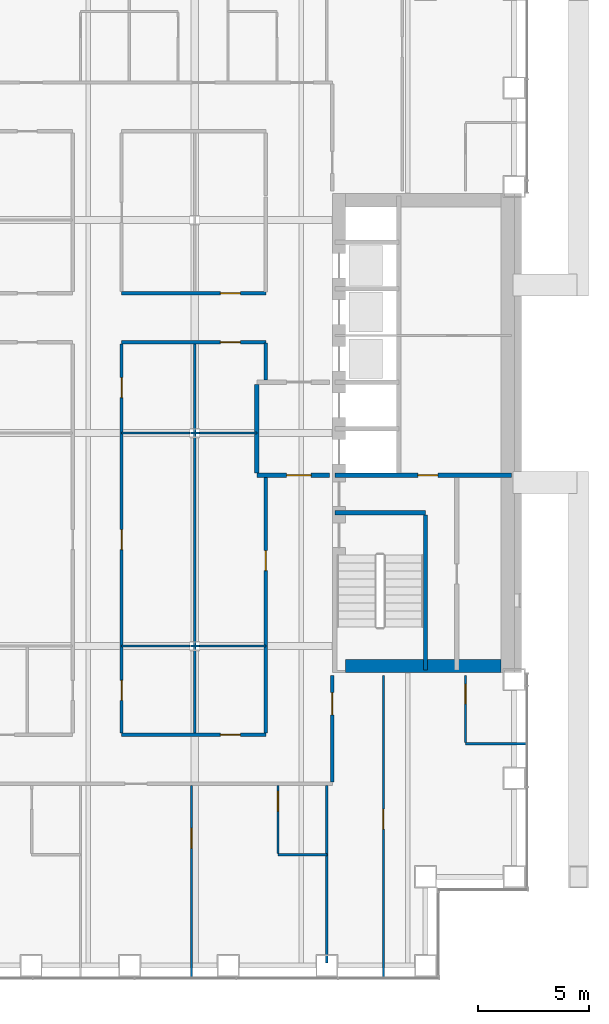
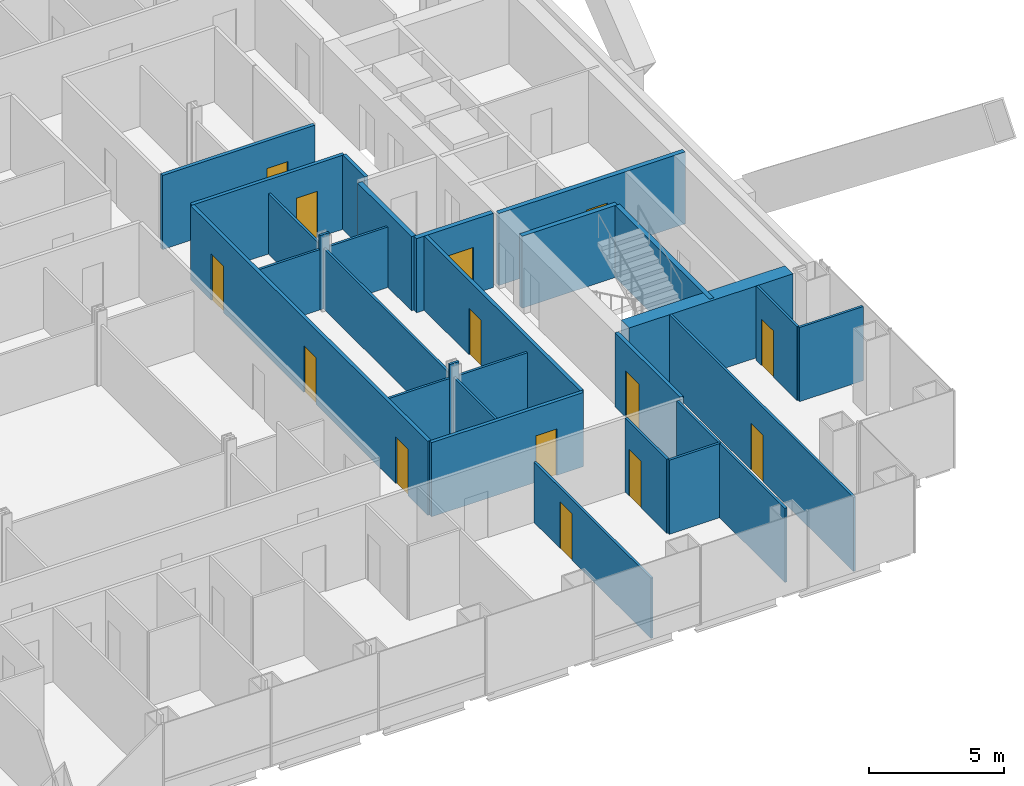
# One storey, part 18 of 23: 29 walls, 14 doors, 14 openings.
"""IFC4 building model written with IfcOpenShell, lengths in metres."""

from ifc_helpers import new_model, si_unit, direction, frame, frame_2d, origin, place, context, subcontext, project, spatial, rectangle, extrude, material, layer, layer_set, type_object, element, fill, save


model = new_model("IFC4")

# Units and contexts
model_context = context("Model", 3, precision=1e-05, world=origin(), true_north=direction((0.0, 1.0)))
body_context = subcontext(model_context, "Body", "Model", "MODEL_VIEW")
ifc_project = project(units=[si_unit("LENGTHUNIT", "METRE"), si_unit("AREAUNIT", "SQUARE_METRE"), si_unit("VOLUMEUNIT", "CUBIC_METRE"), si_unit("PLANEANGLEUNIT", "RADIAN"), si_unit("MASSUNIT", "GRAM", prefix="KILO")], contexts=[model_context])

# Site, building, storey
site_placement = place(None, origin())
site = spatial("IfcSite", under=ifc_project, at=site_placement, CompositionType="ELEMENT")
building_placement = place(site_placement, origin())
building = spatial("IfcBuilding", under=site, at=building_placement, Name="Cobrizo Arcos Hotel Tower", CompositionType="ELEMENT")
storey_placement = place(building_placement, frame((0.0, 0.0, 56.5)))
storey = spatial("IfcBuildingStorey", under=building, at=storey_placement, Name="L12", CompositionType="ELEMENT", Elevation=56.5)

# Wall, opening, door
ifc_material_1 = material(Name="Gypsum board partition")
ifc_layer_1 = layer(ifc_material_1, 0.14990234375)
ifc_layer_set_1 = layer_set([ifc_layer_1], Name="Corridor wall EI 60 150")
wall_type_1 = type_object("IfcWallType", Name="Corridor wall EI 60 150", PredefinedType="PARTITIONING", material=ifc_layer_set_1)
wall_1_placement = place(storey_placement, frame((6.300048828125, -13.60009765625, 0.0), z_axis=(0.0, 0.0, 1.0), x_axis=(1.0, 0.0, 0.0)))
wall_1 = element("IfcWall", 1, at=wall_1_placement, inside=storey, type_object=wall_type_1, Name="Partition 010", PredefinedType="PARTITIONING", context=body_context, shape_type="SweptSolid", body=[
    extrude(rectangle(XDim=6.5, YDim=0.14990234375, at=frame_2d((3.25, 0.0))), origin(), (0.0, 0.0, 1.0), 3.35009765625),
])
opening_1_placement = place(wall_1_placement, frame((4.449951171875, 0.0, 0.0)))
opening_1 = element("IfcOpeningElement", 2, at=opening_1_placement, cuts=wall_1, Name="Opening RD-15", PredefinedType="OPENING", context=body_context, shape_type="SweptSolid", body=[
    extrude(rectangle(XDim=0.89990234375, YDim=2.10009765625, at=frame_2d((0.449951171875, 1.050048828125))), frame((0.0, 0.0869140625, 0.0), z_axis=(0.0, -1.0, 0.0), x_axis=(1.0, 0.0, 0.0)), (0.0, 0.0, 1.0), 0.173828125),
])
ifc_material_2 = material(Name="Timber door leaf", Category="wood")
door_type_1 = type_object("IfcDoorType", Name="Room door FD30 900x2100", OperationType="SINGLE_SWING_LEFT", PredefinedType="DOOR", material=ifc_material_2)
door_1_placement = place(opening_1_placement, origin())
door_1 = element("IfcDoor", 3, at=door_1_placement, inside=storey, type_object=door_type_1, Name="Door RD-15", OperationType="SINGLE_SWING_RIGHT", OverallHeight=2.10009765625, OverallWidth=0.89990234375, PredefinedType="DOOR", context=body_context, shape_type="SweptSolid", body=[
    extrude(rectangle(XDim=0.89990234375, YDim=2.10009765625, at=frame_2d((0.449951171875, 1.050048828125))), frame((0.0, 0.02490234375, 0.0), z_axis=(0.0, -1.0, 0.0), x_axis=(1.0, 0.0, 0.0)), (0.0, 0.0, 1.0), 0.050048828125),
])
fill(opening_1, door_1)

wall_2_placement = place(storey_placement, frame((6.300048828125, 4.10009765625, 0.0), z_axis=(0.0, 0.0, 1.0), x_axis=(1.0, 0.0, 0.0)))
wall_2 = element("IfcWall", 4, at=wall_2_placement, inside=storey, type_object=wall_type_1, Name="Partition 040", PredefinedType="PARTITIONING", context=body_context, shape_type="SweptSolid", body=[
    extrude(rectangle(XDim=6.5, YDim=0.14990234375, at=frame_2d((3.25, 0.0))), origin(), (0.0, 0.0, 1.0), 3.35009765625),
])
opening_2_placement = place(wall_2_placement, frame((4.449951171875, 0.0, 0.0)))
opening_2 = element("IfcOpeningElement", 5, at=opening_2_placement, cuts=wall_2, Name="Opening RD-14", PredefinedType="OPENING", context=body_context, shape_type="SweptSolid", body=[
    extrude(rectangle(XDim=0.89990234375, YDim=2.10009765625, at=frame_2d((0.449951171875, 1.050048828125))), frame((0.0, 0.0869140625, 0.0), z_axis=(0.0, -1.0, 0.0), x_axis=(1.0, 0.0, 0.0)), (0.0, 0.0, 1.0), 0.173828125),
])
door_2_placement = place(opening_2_placement, origin())
door_2 = element("IfcDoor", 6, at=door_2_placement, inside=storey, type_object=door_type_1, Name="Door RD-14", OperationType="SINGLE_SWING_RIGHT", OverallHeight=2.10009765625, OverallWidth=0.89990234375, PredefinedType="DOOR", context=body_context, shape_type="SweptSolid", body=[
    extrude(rectangle(XDim=0.89990234375, YDim=2.10009765625, at=frame_2d((0.449951171875, 1.050048828125))), frame((0.0, 0.02490234375, 0.0), z_axis=(0.0, -1.0, 0.0), x_axis=(1.0, 0.0, 0.0)), (0.0, 0.0, 1.0), 0.050048828125),
])
fill(opening_2, door_2)

wall_3_placement = place(storey_placement, frame((6.300048828125, 6.300048828125, 0.0), z_axis=(0.0, 0.0, 1.0), x_axis=(1.0, 0.0, 0.0)))
wall_3 = element("IfcWall", 7, at=wall_3_placement, inside=storey, type_object=wall_type_1, Name="Partition 044", PredefinedType="PARTITIONING", context=body_context, shape_type="SweptSolid", body=[
    extrude(rectangle(XDim=6.5, YDim=0.14990234375, at=frame_2d((3.25, 0.0))), origin(), (0.0, 0.0, 1.0), 3.35009765625),
])
opening_3_placement = place(wall_3_placement, frame((4.449951171875, 0.0, 0.0)))
opening_3 = element("IfcOpeningElement", 8, at=opening_3_placement, cuts=wall_3, Name="Opening RD-23", PredefinedType="OPENING", context=body_context, shape_type="SweptSolid", body=[
    extrude(rectangle(XDim=0.89990234375, YDim=2.10009765625, at=frame_2d((0.449951171875, 1.050048828125))), frame((0.0, 0.0869140625, 0.0), z_axis=(0.0, -1.0, 0.0), x_axis=(1.0, 0.0, 0.0)), (0.0, 0.0, 1.0), 0.173828125),
])
door_3_placement = place(opening_3_placement, origin())
door_3 = element("IfcDoor", 9, at=door_3_placement, inside=storey, type_object=door_type_1, Name="Door RD-23", OperationType="SINGLE_SWING_LEFT", OverallHeight=2.10009765625, OverallWidth=0.89990234375, PredefinedType="DOOR", context=body_context, shape_type="SweptSolid", body=[
    extrude(rectangle(XDim=0.89990234375, YDim=2.10009765625, at=frame_2d((0.449951171875, 1.050048828125))), frame((0.0, 0.02490234375, 0.0), z_axis=(0.0, -1.0, 0.0), x_axis=(1.0, 0.0, 0.0)), (0.0, 0.0, 1.0), 0.050048828125),
])
fill(opening_3, door_3)

# Wall, openings, doors
wall_4_placement = place(storey_placement, frame((6.300048828125, -13.52490234375, 0.0), z_axis=(0.0, 0.0, 1.0), x_axis=(0.0, 1.0, 0.0)))
wall_4 = element("IfcWall", 10, at=wall_4_placement, inside=storey, type_object=wall_type_1, Name="Partition 108", PredefinedType="PARTITIONING", context=body_context, shape_type="SweptSolid", body=[
    extrude(rectangle(XDim=17.5498046875, YDim=0.14990234375, at=frame_2d((8.77490234375, 0.0))), origin(), (0.0, 0.0, 1.0), 3.35009765625),
])
opening_4_placement = place(wall_4_placement, frame((1.47509765625, 0.0, 0.0)))
opening_4 = element("IfcOpeningElement", 11, at=opening_4_placement, cuts=wall_4, Name="Opening RD-18", PredefinedType="OPENING", context=body_context, shape_type="SweptSolid", body=[
    extrude(rectangle(XDim=0.89990234375, YDim=2.10009765625, at=frame_2d((0.449951171875, 1.050048828125))), frame((0.0, 0.0869140625, 0.0), z_axis=(0.0, -1.0, 0.0), x_axis=(1.0, 0.0, 0.0)), (0.0, 0.0, 1.0), 0.173828125),
])
opening_5_placement = place(wall_4_placement, frame((15.125, 0.0, 0.0)))
opening_5 = element("IfcOpeningElement", 12, at=opening_5_placement, cuts=wall_4, Name="Opening RD-19", PredefinedType="OPENING", context=body_context, shape_type="SweptSolid", body=[
    extrude(rectangle(XDim=0.89990234375, YDim=2.10009765625, at=frame_2d((0.449951171875, 1.050048828125))), frame((0.0, 0.0869140625, 0.0), z_axis=(0.0, -1.0, 0.0), x_axis=(1.0, 0.0, 0.0)), (0.0, 0.0, 1.0), 0.173828125),
])
opening_6_placement = place(wall_4_placement, frame((8.27490234375, 0.0, 0.0)))
opening_6 = element("IfcOpeningElement", 13, at=opening_6_placement, cuts=wall_4, Name="Opening RD-26", PredefinedType="OPENING", context=body_context, shape_type="SweptSolid", body=[
    extrude(rectangle(XDim=0.89990234375, YDim=2.10009765625, at=frame_2d((0.449951171875, 1.050048828125))), frame((0.0, 0.0869140625, 0.0), z_axis=(0.0, -1.0, 0.0), x_axis=(1.0, 0.0, 0.0)), (0.0, 0.0, 1.0), 0.173828125),
])
door_4_placement = place(opening_4_placement, origin())
door_4 = element("IfcDoor", 14, at=door_4_placement, inside=storey, type_object=door_type_1, Name="Door RD-18", OperationType="SINGLE_SWING_LEFT", OverallHeight=2.10009765625, OverallWidth=0.89990234375, PredefinedType="DOOR", context=body_context, shape_type="SweptSolid", body=[
    extrude(rectangle(XDim=0.89990234375, YDim=2.10009765625, at=frame_2d((0.449951171875, 1.050048828125))), frame((0.0, 0.02490234375, 0.0), z_axis=(0.0, -1.0, 0.0), x_axis=(1.0, 0.0, 0.0)), (0.0, 0.0, 1.0), 0.050048828125),
])
fill(opening_4, door_4)
door_5_placement = place(opening_5_placement, origin())
door_5 = element("IfcDoor", 15, at=door_5_placement, inside=storey, type_object=door_type_1, Name="Door RD-19", OperationType="SINGLE_SWING_LEFT", OverallHeight=2.10009765625, OverallWidth=0.89990234375, PredefinedType="DOOR", context=body_context, shape_type="SweptSolid", body=[
    extrude(rectangle(XDim=0.89990234375, YDim=2.10009765625, at=frame_2d((0.449951171875, 1.050048828125))), frame((0.0, 0.02490234375, 0.0), z_axis=(0.0, -1.0, 0.0), x_axis=(1.0, 0.0, 0.0)), (0.0, 0.0, 1.0), 0.050048828125),
])
fill(opening_5, door_5)
door_6_placement = place(opening_6_placement, origin())
door_6 = element("IfcDoor", 16, at=door_6_placement, inside=storey, type_object=door_type_1, Name="Door RD-26", OperationType="SINGLE_SWING_LEFT", OverallHeight=2.10009765625, OverallWidth=0.89990234375, PredefinedType="DOOR", context=body_context, shape_type="SweptSolid", body=[
    extrude(rectangle(XDim=0.89990234375, YDim=2.10009765625, at=frame_2d((0.449951171875, 1.050048828125))), frame((0.0, 0.02490234375, 0.0), z_axis=(0.0, -1.0, 0.0), x_axis=(1.0, 0.0, 0.0)), (0.0, 0.0, 1.0), 0.050048828125),
])
fill(opening_6, door_6)

# Wall, opening, door
wall_5_placement = place(storey_placement, frame((12.800048828125, -13.52490234375, 0.0), z_axis=(0.0, 0.0, 1.0), x_axis=(0.0, 1.0, 0.0)))
wall_5 = element("IfcWall", 17, at=wall_5_placement, inside=storey, type_object=wall_type_1, Name="Partition 122", PredefinedType="PARTITIONING", context=body_context, shape_type="SweptSolid", body=[
    extrude(rectangle(XDim=11.52490234375, YDim=0.14990234375, at=frame_2d((5.762451171875, 0.0))), origin(), (0.0, 0.0, 1.0), 3.35009765625),
])
opening_7_placement = place(wall_5_placement, frame((7.324951171875, 0.0, 0.0)))
opening_7 = element("IfcOpeningElement", 18, at=opening_7_placement, cuts=wall_5, Name="Opening RD-25", PredefinedType="OPENING", context=body_context, shape_type="SweptSolid", body=[
    extrude(rectangle(XDim=0.89990234375, YDim=2.10009765625, at=frame_2d((0.449951171875, 1.050048828125))), frame((0.0, 0.0869140625, 0.0), z_axis=(0.0, -1.0, 0.0), x_axis=(1.0, 0.0, 0.0)), (0.0, 0.0, 1.0), 0.173828125),
])
door_7_placement = place(opening_7_placement, origin())
door_7 = element("IfcDoor", 19, at=door_7_placement, inside=storey, type_object=door_type_1, Name="Door RD-25", OperationType="SINGLE_SWING_LEFT", OverallHeight=2.10009765625, OverallWidth=0.89990234375, PredefinedType="DOOR", context=body_context, shape_type="SweptSolid", body=[
    extrude(rectangle(XDim=0.89990234375, YDim=2.10009765625, at=frame_2d((0.449951171875, 1.050048828125))), frame((0.0, 0.02490234375, 0.0), z_axis=(0.0, -1.0, 0.0), x_axis=(1.0, 0.0, 0.0)), (0.0, 0.0, 1.0), 0.050048828125),
])
fill(opening_7, door_7)

# Wall
wall_6_placement = place(storey_placement, frame((12.800048828125, 2.39990234375, 0.0), z_axis=(0.0, 0.0, 1.0), x_axis=(0.0, 1.0, 0.0)))
element("IfcWall", 20, at=wall_6_placement, inside=storey, type_object=wall_type_1, Name="Partition 123", PredefinedType="PARTITIONING", context=body_context, shape_type="SweptSolid", body=[
    extrude(rectangle(XDim=1.650146484375, YDim=0.14990234375, at=frame_2d((0.8251953125, 0.0))), origin(), (0.0, 0.0, 1.0), 3.35009765625),
])

# Wall, opening, door
wall_7_placement = place(storey_placement, frame((15.800048828125, -15.72509765625, 0.0), z_axis=(0.0, 0.0, 1.0), x_axis=(0.0, 1.0, 0.0)))
wall_7 = element("IfcWall", 21, at=wall_7_placement, inside=storey, type_object=wall_type_1, Name="Partition 130", PredefinedType="PARTITIONING", context=body_context, shape_type="SweptSolid", body=[
    extrude(rectangle(XDim=4.80517578125, YDim=0.14990234375, at=frame_2d((2.402587890625, 0.0))), origin(), (0.0, 0.0, 1.0), 3.35009765625),
])
opening_8_placement = place(wall_7_placement, frame((3.02490234375, 0.0, 0.0)))
opening_8 = element("IfcOpeningElement", 22, at=opening_8_placement, cuts=wall_7, Name="Opening GD-14", PredefinedType="OPENING", context=body_context, shape_type="SweptSolid", body=[
    extrude(rectangle(XDim=1.0, YDim=2.10009765625, at=frame_2d((0.5, 1.050048828125))), frame((0.0, 0.0869140625, 0.0), z_axis=(0.0, -1.0, 0.0), x_axis=(1.0, 0.0, 0.0)), (0.0, 0.0, 1.0), 0.173828125),
])
door_type_2 = type_object("IfcDoorType", Name="Guest room door FD30S 1000x2100", OperationType="SINGLE_SWING_LEFT", PredefinedType="DOOR", material=ifc_material_2)
door_8_placement = place(opening_8_placement, origin())
door_8 = element("IfcDoor", 23, at=door_8_placement, inside=storey, type_object=door_type_2, Name="Door GD-14", OperationType="SINGLE_SWING_LEFT", OverallHeight=2.10009765625, OverallWidth=1.0, PredefinedType="DOOR", context=body_context, shape_type="SweptSolid", body=[
    extrude(rectangle(XDim=1.0, YDim=2.10009765625, at=frame_2d((0.5, 1.050048828125))), frame((0.0, 0.02490234375, 0.0), z_axis=(0.0, -1.0, 0.0), x_axis=(1.0, 0.0, 0.0)), (0.0, 0.0, 1.0), 0.050048828125),
])
fill(opening_8, door_8)

# Walls
ifc_layer_2 = layer(ifc_material_1, 0.10009765625)
ifc_layer_set_2 = layer_set([ifc_layer_2], Name="Partition EI 30 100")
wall_type_2 = type_object("IfcWallType", Name="Partition EI 30 100", PredefinedType="PARTITIONING", material=ifc_layer_set_2)
wall_8_placement = place(storey_placement, frame((13.35009765625, -19.0, 0.0), z_axis=(0.0, 0.0, 1.0), x_axis=(1.0, 0.0, 0.0)))
element("IfcWall", 24, at=wall_8_placement, inside=storey, type_object=wall_type_2, Name="Partition 005", PredefinedType="PARTITIONING", context=body_context, shape_type="SweptSolid", body=[
    extrude(rectangle(XDim=2.199951171875, YDim=0.10009765625, at=frame_2d((1.10009765625, 0.0))), origin(), (0.0, 0.0, 1.0), 3.35009765625),
])
wall_9_placement = place(storey_placement, frame((21.800048828125, -14.0, 0.0), z_axis=(0.0, 0.0, 1.0), x_axis=(1.0, 0.0, 0.0)))
element("IfcWall", 25, at=wall_9_placement, inside=storey, type_object=wall_type_2, Name="Partition 008", PredefinedType="PARTITIONING", context=body_context, shape_type="SweptSolid", body=[
    extrude(rectangle(XDim=2.72998046875, YDim=0.10009765625, at=frame_2d((1.364990234375, 0.0))), origin(), (0.0, 0.0, 1.0), 3.35009765625),
])
wall_10_placement = place(storey_placement, frame((6.300048828125, -9.60009765625, 0.0), z_axis=(0.0, 0.0, 1.0), x_axis=(1.0, 0.0, 0.0)))
element("IfcWall", 26, at=wall_10_placement, inside=storey, type_object=wall_type_2, Name="Partition 016", PredefinedType="PARTITIONING", context=body_context, shape_type="SweptSolid", body=[
    extrude(rectangle(XDim=3.095947265625, YDim=0.10009765625, at=frame_2d((1.5478515625, 0.0))), origin(), (0.0, 0.0, 1.0), 2.72802734375),
])
wall_11_placement = place(storey_placement, frame((9.39599609375, -9.60009765625, 0.0), z_axis=(0.0, 0.0, 1.0), x_axis=(1.0, 0.0, 0.0)))
element("IfcWall", 27, at=wall_11_placement, inside=storey, type_object=wall_type_2, Name="Partition 017", PredefinedType="PARTITIONING", context=body_context, shape_type="SweptSolid", body=[
    extrude(rectangle(XDim=0.407958984375, YDim=0.10009765625, at=frame_2d((0.2041015625, 0.0))), origin(), (0.0, 0.0, 1.0), 3.35009765625),
])
wall_12_placement = place(storey_placement, frame((9.803955078125, -9.60009765625, 0.0), z_axis=(0.0, 0.0, 1.0), x_axis=(1.0, 0.0, 0.0)))
element("IfcWall", 28, at=wall_12_placement, inside=storey, type_object=wall_type_2, Name="Partition 018", PredefinedType="PARTITIONING", context=body_context, shape_type="SweptSolid", body=[
    extrude(rectangle(XDim=2.99609375, YDim=0.10009765625, at=frame_2d((1.498046875, 0.0))), origin(), (0.0, 0.0, 1.0), 2.72802734375),
])
wall_13_placement = place(storey_placement, frame((6.300048828125, 0.0, 0.0), z_axis=(0.0, 0.0, 1.0), x_axis=(1.0, 0.0, 0.0)))
element("IfcWall", 29, at=wall_13_placement, inside=storey, type_object=wall_type_2, Name="Partition 030", PredefinedType="PARTITIONING", context=body_context, shape_type="SweptSolid", body=[
    extrude(rectangle(XDim=3.095947265625, YDim=0.10009765625, at=frame_2d((1.5478515625, 0.0))), origin(), (0.0, 0.0, 1.0), 2.72802734375),
])
wall_14_placement = place(storey_placement, frame((9.39599609375, 0.0, 0.0), z_axis=(0.0, 0.0, 1.0), x_axis=(1.0, 0.0, 0.0)))
element("IfcWall", 30, at=wall_14_placement, inside=storey, type_object=wall_type_2, Name="Partition 031", PredefinedType="PARTITIONING", context=body_context, shape_type="SweptSolid", body=[
    extrude(rectangle(XDim=0.407958984375, YDim=0.10009765625, at=frame_2d((0.2041015625, 0.0))), origin(), (0.0, 0.0, 1.0), 3.35009765625),
])
wall_15_placement = place(storey_placement, frame((9.803955078125, 0.0, 0.0), z_axis=(0.0, 0.0, 1.0), x_axis=(1.0, 0.0, 0.0)))
element("IfcWall", 31, at=wall_15_placement, inside=storey, type_object=wall_type_2, Name="Partition 032", PredefinedType="PARTITIONING", context=body_context, shape_type="SweptSolid", body=[
    extrude(rectangle(XDim=2.595947265625, YDim=0.10009765625, at=frame_2d((1.2978515625, 0.0))), origin(), (0.0, 0.0, 1.0), 2.72802734375),
])

# Wall, opening, door
wall_16_placement = place(storey_placement, frame((9.449951171875, -24.530029296875, 0.0), z_axis=(0.0, 0.0, 1.0), x_axis=(0.0, 1.0, 0.0)))
wall_16 = element("IfcWall", 32, at=wall_16_placement, inside=storey, type_object=wall_type_2, Name="Partition 113", PredefinedType="PARTITIONING", context=body_context, shape_type="SweptSolid", body=[
    extrude(rectangle(XDim=8.655029296875, YDim=0.10009765625, at=frame_2d((4.32763671875, 0.0))), origin(), (0.0, 0.0, 1.0), 2.72802734375),
])
opening_9_placement = place(wall_16_placement, frame((5.820068359375, 0.0, 0.0)))
opening_9 = element("IfcOpeningElement", 33, at=opening_9_placement, cuts=wall_16, Name="Opening RD-07", PredefinedType="OPENING", context=body_context, shape_type="SweptSolid", body=[
    extrude(rectangle(XDim=0.89990234375, YDim=2.10009765625, at=frame_2d((0.449951171875, 1.050048828125))), frame((0.0, 0.06201171875, 0.0), z_axis=(0.0, -1.0, 0.0), x_axis=(1.0, 0.0, 0.0)), (0.0, 0.0, 1.0), 0.1240234375),
])
door_9_placement = place(opening_9_placement, origin())
door_9 = element("IfcDoor", 34, at=door_9_placement, inside=storey, type_object=door_type_1, Name="Door RD-07", OperationType="SINGLE_SWING_LEFT", OverallHeight=2.10009765625, OverallWidth=0.89990234375, PredefinedType="DOOR", context=body_context, shape_type="SweptSolid", body=[
    extrude(rectangle(XDim=0.89990234375, YDim=2.10009765625, at=frame_2d((0.449951171875, 1.050048828125))), frame((0.0, 0.02490234375, 0.0), z_axis=(0.0, -1.0, 0.0), x_axis=(1.0, 0.0, 0.0)), (0.0, 0.0, 1.0), 0.050048828125),
])
fill(opening_9, door_9)

# Walls
wall_17_placement = place(storey_placement, frame((9.60009765625, -13.52490234375, 0.0), z_axis=(0.0, 0.0, 1.0), x_axis=(0.0, 1.0, 0.0)))
element("IfcWall", 35, at=wall_17_placement, inside=storey, type_object=wall_type_2, Name="Partition 114", PredefinedType="PARTITIONING", context=body_context, shape_type="SweptSolid", body=[
    extrude(rectangle(XDim=3.875, YDim=0.10009765625, at=frame_2d((1.9375, 0.0))), origin(), (0.0, 0.0, 1.0), 2.72802734375),
])
wall_18_placement = place(storey_placement, frame((9.60009765625, -9.550048828125, 0.0), z_axis=(0.0, 0.0, 1.0), x_axis=(0.0, 1.0, 0.0)))
element("IfcWall", 36, at=wall_18_placement, inside=storey, type_object=wall_type_2, Name="Partition 115", PredefinedType="PARTITIONING", context=body_context, shape_type="SweptSolid", body=[
    extrude(rectangle(XDim=9.5, YDim=0.10009765625, at=frame_2d((4.75, 0.0))), origin(), (0.0, 0.0, 1.0), 2.72802734375),
])
wall_19_placement = place(storey_placement, frame((9.60009765625, 0.050048828125, 0.0), z_axis=(0.0, 0.0, 1.0), x_axis=(0.0, 1.0, 0.0)))
element("IfcWall", 37, at=wall_19_placement, inside=storey, type_object=wall_type_2, Name="Partition 116", PredefinedType="PARTITIONING", context=body_context, shape_type="SweptSolid", body=[
    extrude(rectangle(XDim=3.974853515625, YDim=0.10009765625, at=frame_2d((1.9873046875, 0.0))), origin(), (0.0, 0.0, 1.0), 2.72802734375),
])

# Wall, opening, door
wall_20_placement = place(storey_placement, frame((13.35009765625, -18.949951171875, 0.0), z_axis=(0.0, 0.0, 1.0), x_axis=(0.0, 1.0, 0.0)))
wall_20 = element("IfcWall", 38, at=wall_20_placement, inside=storey, type_object=wall_type_2, Name="Partition 127", PredefinedType="PARTITIONING", context=body_context, shape_type="SweptSolid", body=[
    extrude(rectangle(XDim=3.074951171875, YDim=0.10009765625, at=frame_2d((1.53759765625, 0.0))), origin(), (0.0, 0.0, 1.0), 3.35009765625),
])
opening_10_placement = place(wall_20_placement, frame((1.89990234375, 0.0, 0.0)))
opening_10 = element("IfcOpeningElement", 39, at=opening_10_placement, cuts=wall_20, Name="Opening ED-11", PredefinedType="OPENING", context=body_context, shape_type="SweptSolid", body=[
    extrude(rectangle(XDim=0.89990234375, YDim=2.10009765625, at=frame_2d((0.449951171875, 1.050048828125))), frame((0.0, 0.06201171875, 0.0), z_axis=(0.0, -1.0, 0.0), x_axis=(1.0, 0.0, 0.0)), (0.0, 0.0, 1.0), 0.1240234375),
])
door_type_3 = type_object("IfcDoorType", Name="En-suite door 900x2100", OperationType="SINGLE_SWING_LEFT", PredefinedType="DOOR", material=ifc_material_2)
door_10_placement = place(opening_10_placement, origin())
door_10 = element("IfcDoor", 40, at=door_10_placement, inside=storey, type_object=door_type_3, Name="Door ED-11", OperationType="SINGLE_SWING_LEFT", OverallHeight=2.10009765625, OverallWidth=0.89990234375, PredefinedType="DOOR", context=body_context, shape_type="SweptSolid", body=[
    extrude(rectangle(XDim=0.89990234375, YDim=2.10009765625, at=frame_2d((0.449951171875, 1.050048828125))), frame((0.0, 0.02490234375, 0.0), z_axis=(0.0, -1.0, 0.0), x_axis=(1.0, 0.0, 0.0)), (0.0, 0.0, 1.0), 0.050048828125),
])
fill(opening_10, door_10)

# Wall
wall_21_placement = place(storey_placement, frame((15.550048828125, -23.8798828125, 0.0), z_axis=(0.0, 0.0, 1.0), x_axis=(0.0, 1.0, 0.0)))
element("IfcWall", 41, at=wall_21_placement, inside=storey, type_object=wall_type_2, Name="Partition 128", PredefinedType="PARTITIONING", context=body_context, shape_type="SweptSolid", body=[
    extrude(rectangle(XDim=8.0048828125, YDim=0.10009765625, at=frame_2d((4.00244140625, 0.0))), origin(), (0.0, 0.0, 1.0), 3.35009765625),
])

# Wall, opening, door
wall_22_placement = place(storey_placement, frame((18.10009765625, -24.530029296875, 0.0), z_axis=(0.0, 0.0, 1.0), x_axis=(0.0, 1.0, 0.0)))
wall_22 = element("IfcWall", 42, at=wall_22_placement, inside=storey, type_object=wall_type_2, Name="Partition 132", PredefinedType="PARTITIONING", context=body_context, shape_type="SweptSolid", body=[
    extrude(rectangle(XDim=13.610107421875, YDim=0.10009765625, at=frame_2d((6.80517578125, 0.0))), origin(), (0.0, 0.0, 1.0), 3.35009765625),
])
opening_11_placement = place(wall_22_placement, frame((6.679931640625, 0.0, 0.0)))
opening_11 = element("IfcOpeningElement", 43, at=opening_11_placement, cuts=wall_22, Name="Opening RD-10", PredefinedType="OPENING", context=body_context, shape_type="SweptSolid", body=[
    extrude(rectangle(XDim=0.89990234375, YDim=2.10009765625, at=frame_2d((0.449951171875, 1.050048828125))), frame((0.0, 0.06201171875, 0.0), z_axis=(0.0, -1.0, 0.0), x_axis=(1.0, 0.0, 0.0)), (0.0, 0.0, 1.0), 0.1240234375),
])
door_11_placement = place(opening_11_placement, origin())
door_11 = element("IfcDoor", 44, at=door_11_placement, inside=storey, type_object=door_type_1, Name="Door RD-10", OperationType="SINGLE_SWING_LEFT", OverallHeight=2.10009765625, OverallWidth=0.89990234375, PredefinedType="DOOR", context=body_context, shape_type="SweptSolid", body=[
    extrude(rectangle(XDim=0.89990234375, YDim=2.10009765625, at=frame_2d((0.449951171875, 1.050048828125))), frame((0.0, 0.02490234375, 0.0), z_axis=(0.0, -1.0, 0.0), x_axis=(1.0, 0.0, 0.0)), (0.0, 0.0, 1.0), 0.050048828125),
])
fill(opening_11, door_11)

wall_23_placement = place(storey_placement, frame((21.800048828125, -13.949951171875, 0.0), z_axis=(0.0, 0.0, 1.0), x_axis=(0.0, 1.0, 0.0)))
wall_23 = element("IfcWall", 45, at=wall_23_placement, inside=storey, type_object=wall_type_2, Name="Partition 138", PredefinedType="PARTITIONING", context=body_context, shape_type="SweptSolid", body=[
    extrude(rectangle(XDim=3.030029296875, YDim=0.10009765625, at=frame_2d((1.51513671875, 0.0))), origin(), (0.0, 0.0, 1.0), 3.35009765625),
])
opening_12_placement = place(wall_23_placement, frame((1.739990234375, 0.0, 0.0)))
opening_12 = element("IfcOpeningElement", 46, at=opening_12_placement, cuts=wall_23, Name="Opening ED-14", PredefinedType="OPENING", context=body_context, shape_type="SweptSolid", body=[
    extrude(rectangle(XDim=0.89990234375, YDim=2.10009765625, at=frame_2d((0.449951171875, 1.050048828125))), frame((0.0, 0.06201171875, 0.0), z_axis=(0.0, -1.0, 0.0), x_axis=(1.0, 0.0, 0.0)), (0.0, 0.0, 1.0), 0.1240234375),
])
door_12_placement = place(opening_12_placement, origin())
door_12 = element("IfcDoor", 47, at=door_12_placement, inside=storey, type_object=door_type_3, Name="Door ED-14", OperationType="SINGLE_SWING_LEFT", OverallHeight=2.10009765625, OverallWidth=0.89990234375, PredefinedType="DOOR", context=body_context, shape_type="SweptSolid", body=[
    extrude(rectangle(XDim=0.89990234375, YDim=2.10009765625, at=frame_2d((0.449951171875, 1.050048828125))), frame((0.0, 0.02490234375, 0.0), z_axis=(0.0, -1.0, 0.0), x_axis=(1.0, 0.0, 0.0)), (0.0, 0.0, 1.0), 0.050048828125),
])
fill(opening_12, door_12)

# Wall
ifc_material_3 = material(Name="Concrete f'c 60 MPa", Category="concrete")
ifc_layer_3 = layer(ifc_material_3, 0.60009765625)
ifc_layer_set_3 = layer_set([ifc_layer_3], Name="RC core wall 600 f'c 60")
wall_type_3 = type_object("IfcWallType", Name="RC core wall 600 f'c 60", PredefinedType="SHEAR", material=ifc_layer_set_3)
wall_24_placement = place(storey_placement, frame((16.39990234375, -10.5, 0.0), z_axis=(0.0, 0.0, 1.0), x_axis=(1.0, 0.0, 0.0)))
element("IfcWall", 48, at=wall_24_placement, inside=storey, type_object=wall_type_3, Name="Core wall CW1, east core, south end, L12", PredefinedType="SHEAR", context=body_context, shape_type="SweptSolid", body=[
    extrude(rectangle(XDim=7.0, YDim=0.60009765625, at=frame_2d((3.5, 0.0))), origin(), (0.0, 0.0, 1.0), 3.25),
])

# Wall, opening, door
ifc_layer_4 = layer(ifc_material_1, 0.199951171875)
ifc_layer_set_4 = layer_set([ifc_layer_4], Name="Shaft wall EI 120 200")
wall_type_4 = type_object("IfcWallType", Name="Shaft wall EI 120 200", PredefinedType="PARTITIONING", material=ifc_layer_set_4)
wall_25_placement = place(storey_placement, frame((12.39990234375, -1.89990234375, 0.0), z_axis=(0.0, 0.0, 1.0), x_axis=(1.0, 0.0, 0.0)))
wall_25 = element("IfcWall", 49, at=wall_25_placement, inside=storey, type_object=wall_type_4, Name="Partition 023", PredefinedType="PARTITIONING", context=body_context, shape_type="SweptSolid", body=[
    extrude(rectangle(XDim=3.280029296875, YDim=0.199951171875, at=frame_2d((1.64013671875, 0.0))), origin(), (0.0, 0.0, 1.0), 3.35009765625),
])
opening_13_placement = place(wall_25_placement, frame((1.340087890625, 0.0, 0.0)))
opening_13 = element("IfcOpeningElement", 50, at=opening_13_placement, cuts=wall_25, Name="Opening FD-06", PredefinedType="OPENING", context=body_context, shape_type="SweptSolid", body=[
    extrude(rectangle(XDim=1.10009765625, YDim=2.10009765625, at=frame_2d((0.550048828125, 1.050048828125))), frame((0.0, 0.112060546875, 0.0), z_axis=(0.0, -1.0, 0.0), x_axis=(1.0, 0.0, 0.0)), (0.0, 0.0, 1.0), 0.223876953125),
])
ifc_material_4 = material(Name="Steel door leaf", Category="steel")
door_type_4 = type_object("IfcDoorType", Name="Fire door FD60 1100x2100", OperationType="SINGLE_SWING_LEFT", PredefinedType="DOOR", material=ifc_material_4)
door_13_placement = place(opening_13_placement, origin())
door_13 = element("IfcDoor", 51, at=door_13_placement, inside=storey, type_object=door_type_4, Name="Door FD-06", OperationType="SINGLE_SWING_LEFT", OverallHeight=2.10009765625, OverallWidth=1.10009765625, PredefinedType="DOOR", context=body_context, shape_type="SweptSolid", body=[
    extrude(rectangle(XDim=1.10009765625, YDim=2.10009765625, at=frame_2d((0.550048828125, 1.050048828125))), frame((0.0, 0.02490234375, 0.0), z_axis=(0.0, -1.0, 0.0), x_axis=(1.0, 0.0, 0.0)), (0.0, 0.0, 1.0), 0.050048828125),
])
fill(opening_13, door_13)

wall_26_placement = place(storey_placement, frame((15.919921875, -1.89990234375, 0.0), z_axis=(0.0, 0.0, 1.0), x_axis=(1.0, 0.0, 0.0)))
wall_26 = element("IfcWall", 52, at=wall_26_placement, inside=storey, type_object=wall_type_4, Name="Partition 024", PredefinedType="PARTITIONING", context=body_context, shape_type="SweptSolid", body=[
    extrude(rectangle(XDim=7.9599609375, YDim=0.199951171875, at=frame_2d((3.97998046875, 0.0))), origin(), (0.0, 0.0, 1.0), 3.25),
])
opening_14_placement = place(wall_26_placement, frame((3.739990234375, 0.0, 0.0)))
opening_14 = element("IfcOpeningElement", 53, at=opening_14_placement, cuts=wall_26, Name="Opening RD-05", PredefinedType="OPENING", context=body_context, shape_type="SweptSolid", body=[
    extrude(rectangle(XDim=0.89990234375, YDim=2.10009765625, at=frame_2d((0.449951171875, 1.050048828125))), frame((0.0, 0.112060546875, 0.0), z_axis=(0.0, -1.0, 0.0), x_axis=(1.0, 0.0, 0.0)), (0.0, 0.0, 1.0), 0.223876953125),
])
door_14_placement = place(opening_14_placement, origin())
door_14 = element("IfcDoor", 54, at=door_14_placement, inside=storey, type_object=door_type_1, Name="Door RD-05", OperationType="SINGLE_SWING_RIGHT", OverallHeight=2.10009765625, OverallWidth=0.89990234375, PredefinedType="DOOR", context=body_context, shape_type="SweptSolid", body=[
    extrude(rectangle(XDim=0.89990234375, YDim=2.10009765625, at=frame_2d((0.449951171875, 1.050048828125))), frame((0.0, 0.02490234375, 0.0), z_axis=(0.0, -1.0, 0.0), x_axis=(1.0, 0.0, 0.0)), (0.0, 0.0, 1.0), 0.050048828125),
])
fill(opening_14, door_14)

# Walls
wall_27_placement = place(storey_placement, frame((12.39990234375, -1.800048828125, 0.0), z_axis=(0.0, 0.0, 1.0), x_axis=(0.0, 1.0, 0.0)))
element("IfcWall", 55, at=wall_27_placement, inside=storey, type_object=wall_type_4, Name="Partition 121", PredefinedType="PARTITIONING", context=body_context, shape_type="SweptSolid", body=[
    extrude(rectangle(XDim=4.0, YDim=0.199951171875, at=frame_2d((2.0, 0.0))), origin(), (0.0, 0.0, 1.0), 3.35009765625),
])
ifc_material_5 = material(Name="Concrete f'c 40 MPa", Category="concrete")
ifc_layer_5 = layer(ifc_material_5, 0.199951171875)
ifc_layer_set_5 = layer_set([ifc_layer_5], Name="Stair shaft wall 200")
wall_type_5 = type_object("IfcWallType", Name="Stair shaft wall 200", PredefinedType="SHEAR", material=ifc_layer_set_5)
wall_28_placement = place(storey_placement, frame((15.919921875, -3.60009765625, 0.0), z_axis=(0.0, 0.0, 1.0), x_axis=(1.0, 0.0, 0.0)))
element("IfcWall", 56, at=wall_28_placement, inside=storey, type_object=wall_type_5, Name="Stair shaft wall E", PredefinedType="SHEAR", context=body_context, shape_type="SweptSolid", body=[
    extrude(rectangle(XDim=4.080078125, YDim=0.199951171875, at=frame_2d((2.0400390625, 0.0))), origin(), (0.0, 0.0, 1.0), 3.25),
])
wall_29_placement = place(storey_placement, frame((20.0, -10.679931640625, 0.0), z_axis=(0.0, 0.0, 1.0), x_axis=(0.0, 1.0, 0.0)))
element("IfcWall", 57, at=wall_29_placement, inside=storey, type_object=wall_type_5, Name="Stair shaft wall E", PredefinedType="SHEAR", context=body_context, shape_type="SweptSolid", body=[
    extrude(rectangle(XDim=6.97998046875, YDim=0.199951171875, at=frame_2d((3.489990234375, 0.0))), origin(), (0.0, 0.0, 1.0), 3.25),
])

save(model, "model.ifc")
